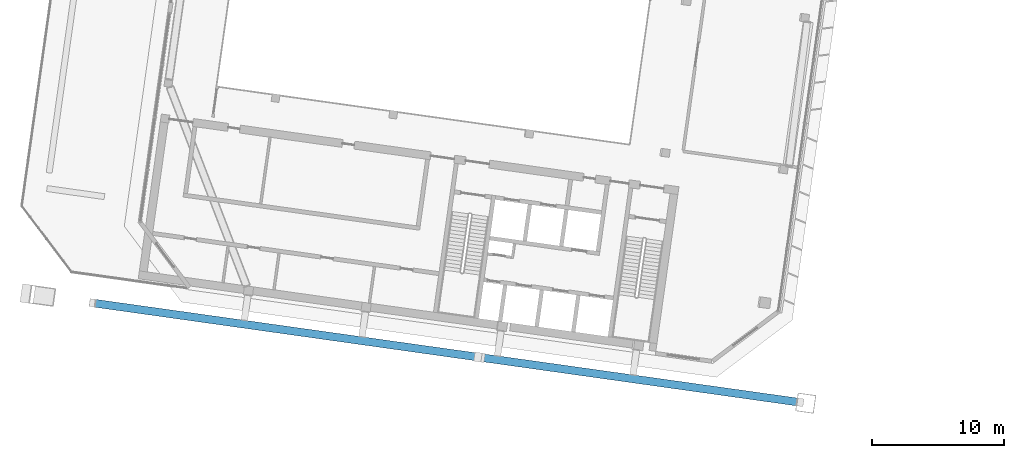
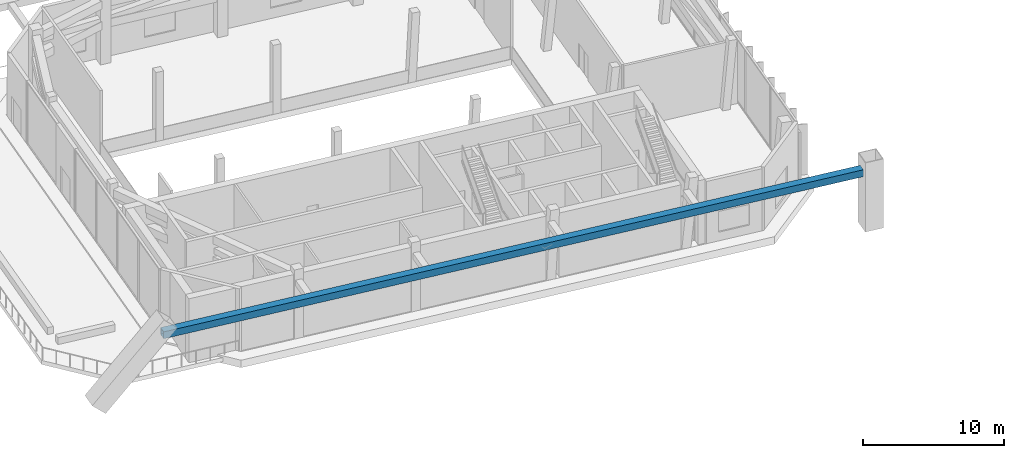
# One storey, part 3 of 29: 1 member.
"""IFC4 building model written with IfcOpenShell, lengths in metres."""

from ifc_helpers import new_model, si_unit, direction, frame, origin, origin_2d, place, context, subcontext, project, spatial, hollow_rectangle, extrude, material, material_profile, profile_set, type_object, element, save


model = new_model("IFC4")

# Units and contexts
model_context = context("Model", 3, precision=1e-05, world=origin(), true_north=direction((0.0, 1.0)))
body_context = subcontext(model_context, "Body", "Model", "MODEL_VIEW")
ifc_project = project(units=[si_unit("LENGTHUNIT", "METRE"), si_unit("AREAUNIT", "SQUARE_METRE"), si_unit("VOLUMEUNIT", "CUBIC_METRE"), si_unit("PLANEANGLEUNIT", "RADIAN"), si_unit("MASSUNIT", "GRAM", prefix="KILO")], contexts=[model_context])

# Site, building, storey
site_placement = place(None, origin())
site = spatial("IfcSite", under=ifc_project, at=site_placement, CompositionType="ELEMENT")
building_placement = place(site_placement, origin())
building = spatial("IfcBuilding", under=site, at=building_placement, Name="Mirante Cascada Hotel Towers", CompositionType="ELEMENT")
storey_placement = place(building_placement, frame((0.0, 0.0, 210.6)))
storey = spatial("IfcBuildingStorey", under=building, at=storey_placement, Name="L50", CompositionType="ELEMENT", Elevation=210.6)

# Member
ifc_material = material(Name="Steel ASTM A572 Gr 50", Category="steel")
ifc_material_profile = material_profile(ifc_material, hollow_rectangle(XDim=0.6, YDim=0.6, WallThickness=0.04, at=origin_2d()), Name="Box chord 600x600x40 ASTM A572 Gr 50")
ifc_profile_set = profile_set([ifc_material_profile], Name="Steel ASTM A572 Gr 50")
member_type = type_object("IfcMemberType", Name="Box chord 600x600x40 ASTM A572 Gr 50", PredefinedType="CHORD", material=ifc_profile_set)
member_placement = place(storey_placement, frame((-26.6685, -23.6746, 4.85), z_axis=(-0.9902679, 0.1391741, 0.0), x_axis=(-0.1391741, -0.9902679, 0.0)))
element("IfcMember", 1, at=member_placement, inside=storey, type_object=member_type, Name="exochord T1 L50 2", PredefinedType="CHORD", context=body_context, shape_type="SweptSolid", body=[
    extrude(hollow_rectangle(XDim=0.6, YDim=0.6, WallThickness=0.04, at=origin_2d()), origin(), (0.0, 0.0, 1.0), 53.6917),
])

save(model, "model.ifc")
